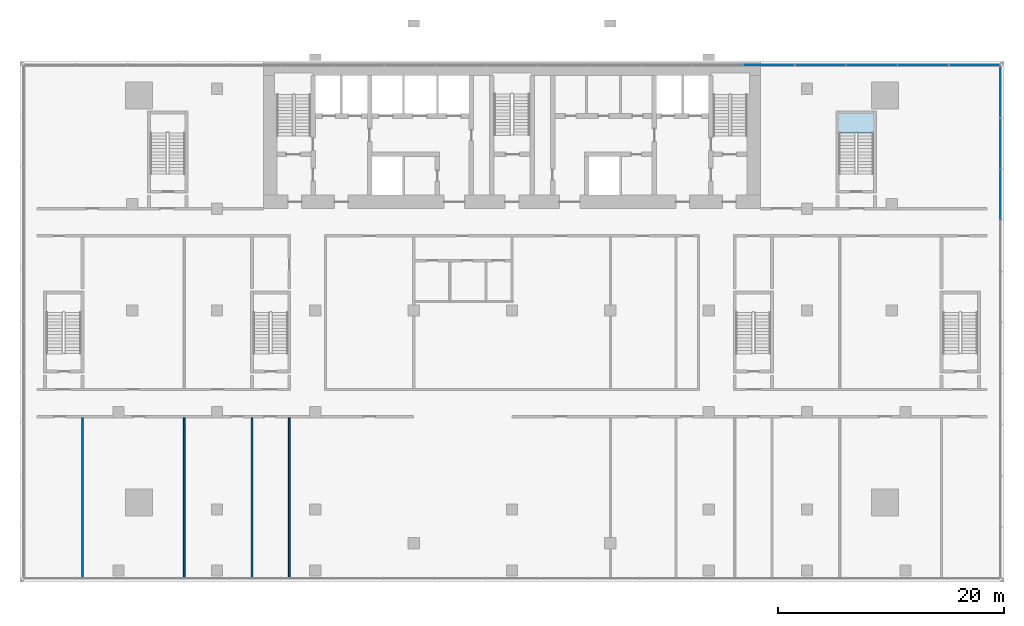
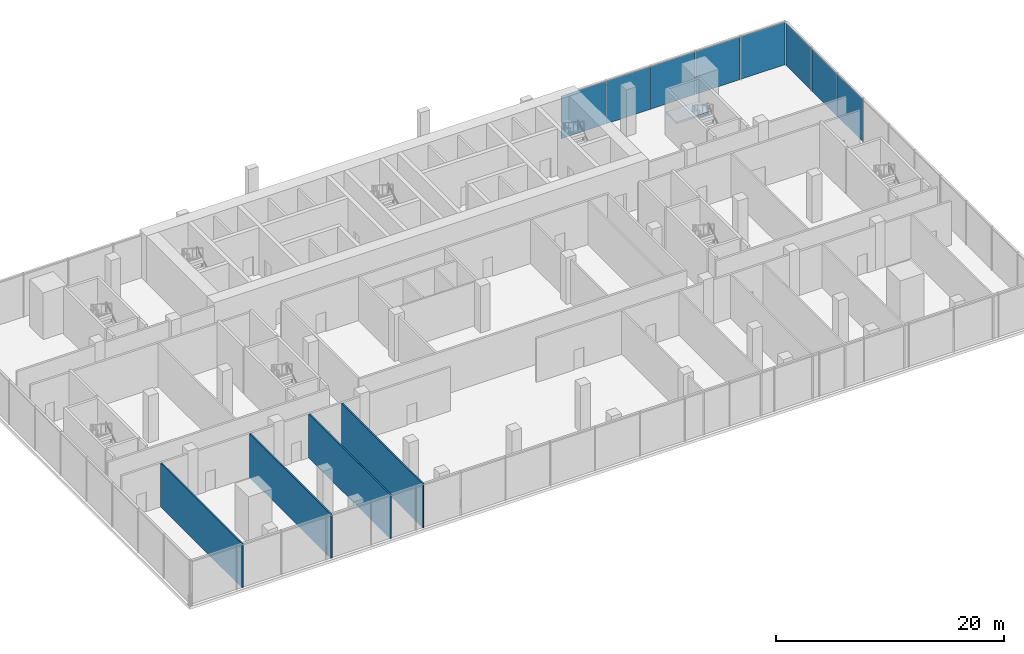
# One storey, part 10 of 20: 8 plates, 4 walls, 1 slab, 3 elements without a shape of their own.
"""IFC4 building model written with IfcOpenShell, lengths in metres."""

from ifc_helpers import new_model, si_unit, direction, frame, frame_2d, origin, origin_2d, place, context, subcontext, project, spatial, polyline, rectangle, outline, extrude, material, layer, layer_set, type_object, element, aggregate, save


model = new_model("IFC4")

# Units and contexts
model_context = context("Model", 3, precision=1e-05, world=origin(), true_north=direction((0.0, 1.0)))
body_context = subcontext(model_context, "Body", "Model", "MODEL_VIEW")
ifc_project = project(units=[si_unit("LENGTHUNIT", "METRE"), si_unit("AREAUNIT", "SQUARE_METRE"), si_unit("VOLUMEUNIT", "CUBIC_METRE"), si_unit("PLANEANGLEUNIT", "RADIAN"), si_unit("MASSUNIT", "GRAM", prefix="KILO")], contexts=[model_context])

# Site, building, storey
site_placement = place(None, origin())
site = spatial("IfcSite", under=ifc_project, at=site_placement, CompositionType="ELEMENT")
building_placement = place(site_placement, origin())
building = spatial("IfcBuilding", under=site, at=building_placement, Name="Bicima Exchange Tower", CompositionType="ELEMENT")
storey_placement = place(building_placement, frame((0.0, 0.0, 25.0)))
storey = spatial("IfcBuildingStorey", under=building, at=storey_placement, Name="L04", CompositionType="ELEMENT", Elevation=25.0)

# Curtain wall, plates
ifc_material_1 = material(Name="Anodised bronze aluminium", Category="aluminium")
curtain_wall_type = type_object("IfcCurtainWallType", Name="Lobby glazing", PredefinedType="NOTDEFINED", material=ifc_material_1)
curtain_wall_1_placement = place(storey_placement, origin())
curtain_wall_1 = element("IfcCurtainWall", 1, at=curtain_wall_1_placement, inside=storey, type_object=curtain_wall_type, Name="Podium glazing L04 east 1", PredefinedType="NOTDEFINED")
ifc_material_2 = material(Name="Clear low-iron glass", Category="glass")
ifc_layer_1 = layer(ifc_material_2, 0.035888671875)
ifc_layer_set_1 = layer_set([ifc_layer_1], Name="Clear low-iron glass")
plate_type = type_object("IfcPlateType", Name="Lobby glazing glass panel 36", PredefinedType="CURTAIN_PANEL", material=ifc_layer_set_1)
plate_1_placement = place(storey_placement, frame((43.199951171875, -11.739990234375, 0.0), z_axis=(0.0, 0.0, 1.0), x_axis=(0.0, 1.0, 0.0)))
plate_1 = element("IfcPlate", 2, at=plate_1_placement, type_object=plate_type, Name="Lobby glazing panel 8.1", PredefinedType="CURTAIN_PANEL", context=body_context, shape_type="SweptSolid", body=[
    extrude(rectangle(XDim=4.464111328125, YDim=0.035888671875, at=origin_2d()), origin(), (0.0, 0.0, 1.0), 4.56005859375),
])
plate_2_placement = place(storey_placement, frame((43.199951171875, -7.216064453125, 0.0), z_axis=(0.0, 0.0, 1.0), x_axis=(0.0, 1.0, 0.0)))
plate_2 = element("IfcPlate", 3, at=plate_2_placement, type_object=plate_type, Name="Lobby glazing panel 9.1", PredefinedType="CURTAIN_PANEL", context=body_context, shape_type="SweptSolid", body=[
    extrude(rectangle(XDim=4.464111328125, YDim=0.035888671875, at=origin_2d()), origin(), (0.0, 0.0, 1.0), 4.56005859375),
])
plate_3_placement = place(storey_placement, frame((43.199951171875, -2.69189453125, 0.0), z_axis=(0.0, 0.0, 1.0), x_axis=(0.0, 1.0, 0.0)))
plate_3 = element("IfcPlate", 4, at=plate_3_placement, type_object=plate_type, Name="Lobby glazing panel 10.1", PredefinedType="CURTAIN_PANEL", context=body_context, shape_type="SweptSolid", body=[
    extrude(rectangle(XDim=4.464111328125, YDim=0.035888671875, at=origin_2d()), origin(), (0.0, 0.0, 1.0), 4.56005859375),
])
aggregate(curtain_wall_1, [plate_1, plate_2, plate_3])

curtain_wall_2_placement = place(storey_placement, origin())
curtain_wall_2 = element("IfcCurtainWall", 5, at=curtain_wall_2_placement, inside=storey, type_object=curtain_wall_type, Name="Podium glazing L04 north 1", PredefinedType="NOTDEFINED")
plate_4_placement = place(storey_placement, frame((40.900390625, -0.300048828125, 0.0), z_axis=(0.0, 0.0, 1.0), x_axis=(-1.0, 0.0, 0.0)))
plate_4 = element("IfcPlate", 6, at=plate_4_placement, type_object=plate_type, Name="Lobby glazing panel 1.1", PredefinedType="CURTAIN_PANEL", context=body_context, shape_type="SweptSolid", body=[
    extrude(rectangle(XDim=4.47900390625, YDim=0.035888671875, at=origin_2d()), origin(), (0.0, 0.0, 1.0), 4.56005859375),
])
plate_5_placement = place(storey_placement, frame((36.361572265625, -0.300048828125, 0.0), z_axis=(0.0, 0.0, 1.0), x_axis=(-1.0, 0.0, 0.0)))
plate_5 = element("IfcPlate", 7, at=plate_5_placement, type_object=plate_type, Name="Lobby glazing panel 2.1", PredefinedType="CURTAIN_PANEL", context=body_context, shape_type="SweptSolid", body=[
    extrude(rectangle(XDim=4.47900390625, YDim=0.035888671875, at=origin_2d()), origin(), (0.0, 0.0, 1.0), 4.56005859375),
])
plate_6_placement = place(storey_placement, frame((31.822509765625, -0.300048828125, 0.0), z_axis=(0.0, 0.0, 1.0), x_axis=(-1.0, 0.0, 0.0)))
plate_6 = element("IfcPlate", 8, at=plate_6_placement, type_object=plate_type, Name="Lobby glazing panel 3.1", PredefinedType="CURTAIN_PANEL", context=body_context, shape_type="SweptSolid", body=[
    extrude(rectangle(XDim=4.47900390625, YDim=0.035888671875, at=origin_2d()), origin(), (0.0, 0.0, 1.0), 4.56005859375),
])
plate_7_placement = place(storey_placement, frame((27.28369140625, -0.300048828125, 0.0), z_axis=(0.0, 0.0, 1.0), x_axis=(-1.0, 0.0, 0.0)))
plate_7 = element("IfcPlate", 9, at=plate_7_placement, type_object=plate_type, Name="Lobby glazing panel 4.1", PredefinedType="CURTAIN_PANEL", context=body_context, shape_type="SweptSolid", body=[
    extrude(rectangle(XDim=4.47900390625, YDim=0.035888671875, at=origin_2d()), origin(), (0.0, 0.0, 1.0), 4.56005859375),
])
plate_8_placement = place(storey_placement, frame((22.74462890625, -0.300048828125, 0.0), z_axis=(0.0, 0.0, 1.0), x_axis=(-1.0, 0.0, 0.0)))
plate_8 = element("IfcPlate", 10, at=plate_8_placement, type_object=plate_type, Name="Lobby glazing panel 5.1", PredefinedType="CURTAIN_PANEL", context=body_context, shape_type="SweptSolid", body=[
    extrude(rectangle(XDim=4.47900390625, YDim=0.035888671875, at=origin_2d()), origin(), (0.0, 0.0, 1.0), 4.56005859375),
])
aggregate(curtain_wall_2, [plate_4, plate_5, plate_6, plate_7, plate_8])

# Stair, slab
ifc_material_3 = material(Name="Concrete C50/60", Category="concrete")
stair_type = type_object("IfcStairType", Name="Exit stair", PredefinedType="HALF_TURN_STAIR", material=ifc_material_3)
stair_placement = place(storey_placement, origin())
stair = element("IfcStair", 11, at=stair_placement, inside=storey, type_object=stair_type, Name="L04 East end exit stair", PredefinedType="HALF_TURN_STAIR")
ifc_layer_2 = layer(ifc_material_3, 0.199951171875)
ifc_layer_set_2 = layer_set([ifc_layer_2], Name="Concrete C50/60")
slab_type = type_object("IfcSlabType", Name="Stair landing slab", PredefinedType="LANDING", material=ifc_layer_set_2)
slab_placement = place(storey_placement, frame((0.0, 0.0, 2.300048828125)))
slab = element("IfcSlab", 12, at=slab_placement, type_object=slab_type, Name="ST-EE landing 1", PredefinedType="LANDING", context=body_context, shape_type="SweptSolid", body=[
    extrude(outline(polyline([(32.175048828125, -6.284912109375), (32.175048828125, -4.425048828125), (28.72509765625, -4.425048828125), (28.72509765625, -6.284912109375), (32.175048828125, -6.284912109375)])), origin(), (0.0, 0.0, 1.0), 0.199951171875),
])
aggregate(stair, [slab])

# Walls
ifc_material_4 = material(Name="Gypsum board partition")
ifc_layer_3 = layer(ifc_material_4, 0.14990234375)
ifc_layer_set_3 = layer_set([ifc_layer_3], Name="Gypsum board partition")
wall_type = type_object("IfcWallType", Name="Gypsum partition 150", PredefinedType="PARTITIONING", material=ifc_layer_set_3)
for number, where, z_axis, x_axis, name in (
    (13, (-38.0, -45.7900390625, 0.0), (0.0, 0.0, 1.0), (0.0, 1.0, 0.0), "partition wall 28"),
    (14, (-29.0, -45.7900390625, 0.0), (0.0, 0.0, 1.0), (0.0, 1.0, 0.0), "partition wall 31"),
    (15, (-23.0, -45.7900390625, 0.0), (0.0, 0.0, 1.0), (0.0, 1.0, 0.0), "partition wall 34"),
    (16, (-19.699951171875, -45.7900390625, 0.0), (0.0, 0.0, 1.0), (0.0, 1.0, 0.0), "partition wall 36"),
):
    element("IfcWall", number, at=place(storey_placement, frame(where, z_axis=z_axis, x_axis=x_axis)), inside=storey, type_object=wall_type, Name=name, PredefinedType="PARTITIONING", context=body_context, shape_type="SweptSolid", body=[
        extrude(rectangle(XDim=14.2900390625, YDim=0.14990234375, at=frame_2d((7.14501953125, 0.0))), origin(), (0.0, 0.0, 1.0), 4.699951171875),
    ])

save(model, "model.ifc")
